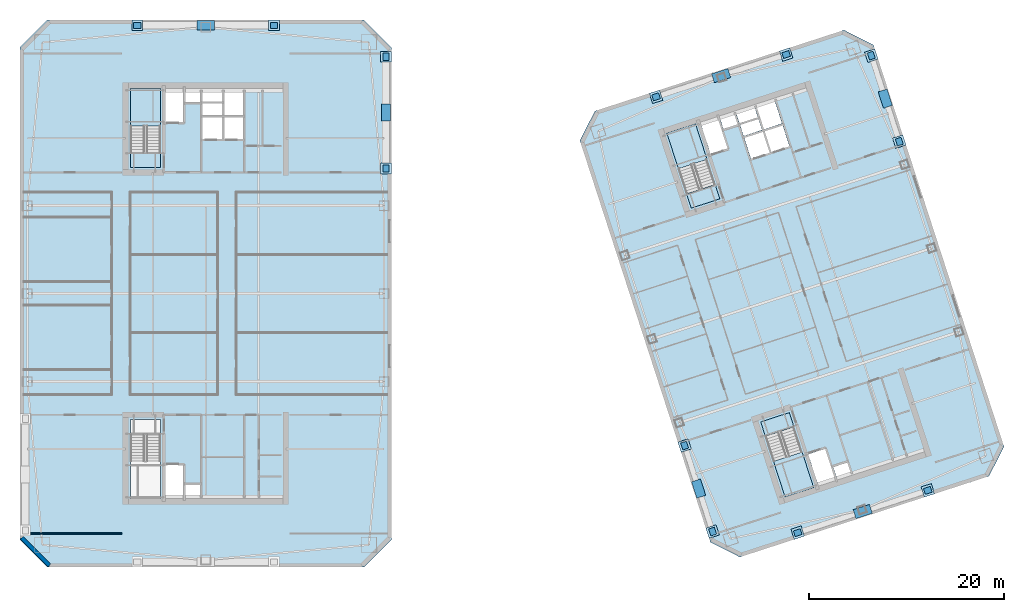
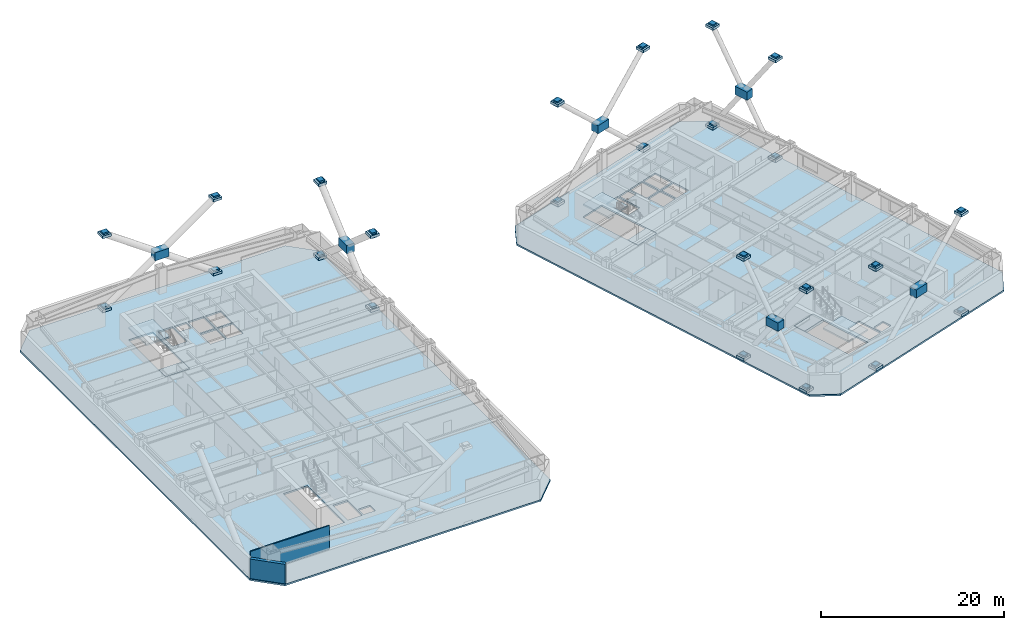
# One storey, part 5 of 14: 54 plates, 8 slabs, 2 walls, 3 elements without a shape of their own.
"""IFC4 building model written with IfcOpenShell, lengths in metres."""

from ifc_helpers import new_model, si_unit, direction, frame, frame_2d, origin, origin_2d, place, context, subcontext, project, spatial, polyline, rectangle, outline, extrude, material, layer, layer_set, type_object, element, aggregate, save


model = new_model("IFC4")

# Units and contexts
model_context = context("Model", 3, precision=1e-05, world=origin(), true_north=direction((0.0, 1.0)))
body_context = subcontext(model_context, "Body", "Model", "MODEL_VIEW")
ifc_project = project(units=[si_unit("LENGTHUNIT", "METRE"), si_unit("AREAUNIT", "SQUARE_METRE"), si_unit("VOLUMEUNIT", "CUBIC_METRE"), si_unit("PLANEANGLEUNIT", "RADIAN"), si_unit("MASSUNIT", "GRAM", prefix="KILO")], contexts=[model_context])

# Site, building, storey
site_placement = place(None, origin())
site = spatial("IfcSite", under=ifc_project, at=site_placement, CompositionType="ELEMENT")
building_placement = place(site_placement, origin())
building = spatial("IfcBuilding", under=site, at=building_placement, Name="Qiaolan Cultural Towers", CompositionType="ELEMENT")
storey_placement = place(building_placement, frame((0.0, 0.0, 149.5)))
storey = spatial("IfcBuildingStorey", under=building, at=storey_placement, Name="L39", CompositionType="ELEMENT", Elevation=149.5)

# Plates
ifc_material_1 = material(Name="Steel Q355B", Category="steel")
ifc_layer_1 = layer(ifc_material_1, 0.035888671875)
ifc_layer_set_1 = layer_set([ifc_layer_1], Name="Steel Q355B")
plate_type_1 = type_object("IfcPlateType", Name="PL-CONN-36", PredefinedType="USERDEFINED", material=ifc_layer_set_1)
for number, where, z_axis, x_axis, name in (
    (1, (48.449951171875, 46.800048828125, -0.22021484375), (0.0, 0.0, 1.0), (0.0, 1.0, 0.0), "L39 Brace End Connection Gusset Plate GP-02-0296"),
    (2, (48.449951171875, 58.25, 9.68017578125), (0.0, 0.0, 1.0), (0.0, 1.0, 0.0), "L39 Brace End Connection Gusset Plate GP-02-0297"),
    (3, (48.449951171875, 58.25, -0.22021484375), (0.0, 0.0, 1.0), (0.0, 1.0, 0.0), "L39 Brace End Connection Gusset Plate GP-02-0298"),
    (4, (48.449951171875, 46.800048828125, 9.68017578125), (0.0, 0.0, 1.0), (0.0, 1.0, 0.0), "L39 Brace End Connection Gusset Plate GP-02-0299"),
    (5, (23.0, 61.449951171875, -0.22021484375), (0.0, 0.0, 1.0), (1.0, 0.0, 0.0), "L39 Brace End Connection Gusset Plate GP-02-0304"),
    (6, (37.0, 61.449951171875, 9.68017578125), (0.0, 0.0, 1.0), (1.0, 0.0, 0.0), "L39 Brace End Connection Gusset Plate GP-02-0305"),
    (7, (37.0, 61.449951171875, -0.22021484375), (0.0, 0.0, 1.0), (1.0, 0.0, 0.0), "L39 Brace End Connection Gusset Plate GP-02-0306"),
    (8, (23.0, 61.449951171875, 9.68017578125), (0.0, 0.0, 1.0), (1.0, 0.0, 0.0), "L39 Brace End Connection Gusset Plate GP-02-0307"),
    (9, (81.877685546875, 9.648193359375, -0.22021484375), (0.0, 0.0, 1.0), (-0.309016961177, 0.951056527082, 0.0), "L39 Brace End Connection Gusset Plate GP-02-0524"),
    (10, (79.019287109375, 18.445556640625, 13.1298828125), (0.0, 0.0, 1.0), (-0.309016961177, 0.951056527082, 0.0), "L39 Brace End Connection Gusset Plate GP-02-0525"),
    (11, (79.019287109375, 18.445556640625, -0.22021484375), (0.0, 0.0, 1.0), (-0.309016961177, 0.951056527082, 0.0), "L39 Brace End Connection Gusset Plate GP-02-0526"),
    (12, (81.877685546875, 9.648193359375, 13.1298828125), (0.0, 0.0, 1.0), (-0.309016961177, 0.951056527082, 0.0), "L39 Brace End Connection Gusset Plate GP-02-0527"),
    (13, (100.980712890625, 49.554443359375, -0.22021484375), (0.0, 0.0, 1.0), (-0.309016961177, 0.951056527082, 0.0), "L39 Brace End Connection Gusset Plate GP-02-0528"),
    (14, (98.122314453125, 58.351806640625, 13.1298828125), (0.0, 0.0, 1.0), (-0.309016961177, 0.951056527082, 0.0), "L39 Brace End Connection Gusset Plate GP-02-0529"),
    (15, (98.122314453125, 58.351806640625, -0.22021484375), (0.0, 0.0, 1.0), (-0.309016961177, 0.951056527082, 0.0), "L39 Brace End Connection Gusset Plate GP-02-0530"),
    (16, (100.980712890625, 49.554443359375, 13.1298828125), (0.0, 0.0, 1.0), (-0.309016961177, 0.951056527082, 0.0), "L39 Brace End Connection Gusset Plate GP-02-0531"),
    (17, (90.589111328125, 9.53466796875, -0.22021484375), (0.0, 0.0, 1.0), (0.951056510902, 0.309017010974, 0.0), "L39 Brace End Connection Gusset Plate GP-02-0532"),
    (18, (103.90380859375, 13.86083984375, 13.1298828125), (0.0, 0.0, 1.0), (0.951056510902, 0.309017010974, 0.0), "L39 Brace End Connection Gusset Plate GP-02-0533"),
    (19, (103.90380859375, 13.86083984375, -0.22021484375), (0.0, 0.0, 1.0), (0.951056510902, 0.309017010974, 0.0), "L39 Brace End Connection Gusset Plate GP-02-0534"),
    (20, (90.589111328125, 9.53466796875, 13.1298828125), (0.0, 0.0, 1.0), (0.951056510902, 0.309017010974, 0.0), "L39 Brace End Connection Gusset Plate GP-02-0535"),
    (21, (76.09619140625, 54.13916015625, -0.22021484375), (0.0, 0.0, 1.0), (0.951056510902, 0.309017010974, 0.0), "L39 Brace End Connection Gusset Plate GP-02-0536"),
    (22, (89.410888671875, 58.46533203125, 13.1298828125), (0.0, 0.0, 1.0), (0.951056510902, 0.309017010974, 0.0), "L39 Brace End Connection Gusset Plate GP-02-0537"),
    (23, (89.410888671875, 58.46533203125, -0.22021484375), (0.0, 0.0, 1.0), (0.951056510902, 0.309017010974, 0.0), "L39 Brace End Connection Gusset Plate GP-02-0538"),
    (24, (76.09619140625, 54.13916015625, 13.1298828125), (0.0, 0.0, 1.0), (0.951056510902, 0.309017010974, 0.0), "L39 Brace End Connection Gusset Plate GP-02-0539"),
):
    element("IfcPlate", number, at=place(storey_placement, frame(where, z_axis=z_axis, x_axis=x_axis)), inside=storey, type_object=plate_type_1, Name=name, ObjectType="GUSSET_PLATE", PredefinedType="USERDEFINED", context=body_context, shape_type="SweptSolid", body=[
        extrude(rectangle(XDim=0.739990234375, YDim=0.6201171875, at=origin_2d()), origin(), (0.0, 0.0, 1.0), 0.739990234375),
    ])
ifc_material_2 = material(Name="Steel Q355B", Category="steel")
ifc_layer_2 = layer(ifc_material_2, 0.030029296875)
ifc_layer_set_2 = layer_set([ifc_layer_2], Name="Steel Q355B")
plate_type_2 = type_object("IfcPlateType", Name="PL-ENDCAP-30", PredefinedType="USERDEFINED", material=ifc_layer_set_2)
for number, where, z_axis, x_axis, name in (
    (25, (48.449951171875, 46.800048828125, -0.025146484375), (0.0, 0.0, 1.0), (0.0, 1.0, 0.0), "Hollow Brace End Seal Cap Plate CP-01"),
    (26, (48.449951171875, 58.25, -0.025146484375), (0.0, 0.0, 1.0), (0.0, 1.0, 0.0), "Hollow Brace End Seal Cap Plate CP-01"),
    (27, (48.449951171875, 46.800048828125, 9.875), (0.0, 0.0, 1.0), (0.0, 1.0, 0.0), "Hollow Brace End Seal Cap Plate CP-01"),
    (28, (48.449951171875, 58.25, 9.875), (0.0, 0.0, 1.0), (0.0, 1.0, 0.0), "Hollow Brace End Seal Cap Plate CP-01"),
    (29, (23.0, 61.449951171875, -0.025146484375), (0.0, 0.0, 1.0), (1.0, 0.0, 0.0), "Hollow Brace End Seal Cap Plate CP-01"),
    (30, (37.0, 61.449951171875, -0.025146484375), (0.0, 0.0, 1.0), (1.0, 0.0, 0.0), "Hollow Brace End Seal Cap Plate CP-01"),
    (31, (23.0, 61.449951171875, 9.875), (0.0, 0.0, 1.0), (1.0, 0.0, 0.0), "Hollow Brace End Seal Cap Plate CP-01"),
    (32, (37.0, 61.449951171875, 9.875), (0.0, 0.0, 1.0), (1.0, 0.0, 0.0), "Hollow Brace End Seal Cap Plate CP-01"),
    (33, (81.877685546875, 9.648193359375, -0.025146484375), (0.0, 0.0, 1.0), (-0.309016994375, 0.951056516295, 0.0), "Hollow Brace End Seal Cap Plate CP-01"),
    (34, (79.019287109375, 18.445556640625, -0.025146484375), (0.0, 0.0, 1.0), (-0.309016994375, 0.951056516295, 0.0), "Hollow Brace End Seal Cap Plate CP-01"),
    (35, (81.877685546875, 9.648193359375, 13.324951171875), (0.0, 0.0, 1.0), (-0.309016994375, 0.951056516295, 0.0), "Hollow Brace End Seal Cap Plate CP-01"),
    (36, (79.019287109375, 18.445556640625, 13.324951171875), (0.0, 0.0, 1.0), (-0.309016994375, 0.951056516295, 0.0), "Hollow Brace End Seal Cap Plate CP-01"),
    (37, (100.980712890625, 49.554443359375, -0.025146484375), (0.0, 0.0, 1.0), (-0.309016994375, 0.951056516295, 0.0), "Hollow Brace End Seal Cap Plate CP-01"),
    (38, (98.122314453125, 58.351806640625, -0.025146484375), (0.0, 0.0, 1.0), (-0.309016994375, 0.951056516295, 0.0), "Hollow Brace End Seal Cap Plate CP-01"),
    (39, (100.980712890625, 49.554443359375, 13.324951171875), (0.0, 0.0, 1.0), (-0.309016994375, 0.951056516295, 0.0), "Hollow Brace End Seal Cap Plate CP-01"),
    (40, (98.122314453125, 58.351806640625, 13.324951171875), (0.0, 0.0, 1.0), (-0.309016994375, 0.951056516295, 0.0), "Hollow Brace End Seal Cap Plate CP-01"),
    (41, (90.589111328125, 9.53466796875, -0.025146484375), (0.0, 0.0, 1.0), (0.951056516295, 0.309016994375, 0.0), "Hollow Brace End Seal Cap Plate CP-01"),
    (42, (103.90380859375, 13.86083984375, -0.025146484375), (0.0, 0.0, 1.0), (0.951056516295, 0.309016994375, 0.0), "Hollow Brace End Seal Cap Plate CP-01"),
    (43, (90.589111328125, 9.53466796875, 13.324951171875), (0.0, 0.0, 1.0), (0.951056516295, 0.309016994375, 0.0), "Hollow Brace End Seal Cap Plate CP-01"),
    (44, (103.90380859375, 13.86083984375, 13.324951171875), (0.0, 0.0, 1.0), (0.951056516295, 0.309016994375, 0.0), "Hollow Brace End Seal Cap Plate CP-01"),
    (45, (76.09619140625, 54.13916015625, -0.025146484375), (0.0, 0.0, 1.0), (0.951056516295, 0.309016994375, 0.0), "Hollow Brace End Seal Cap Plate CP-01"),
    (46, (89.410888671875, 58.46533203125, -0.025146484375), (0.0, 0.0, 1.0), (0.951056516295, 0.309016994375, 0.0), "Hollow Brace End Seal Cap Plate CP-01"),
    (47, (76.09619140625, 54.13916015625, 13.324951171875), (0.0, 0.0, 1.0), (0.951056516295, 0.309016994375, 0.0), "Hollow Brace End Seal Cap Plate CP-01"),
    (48, (89.410888671875, 58.46533203125, 13.324951171875), (0.0, 0.0, 1.0), (0.951056516295, 0.309016994375, 0.0), "Hollow Brace End Seal Cap Plate CP-01"),
):
    element("IfcPlate", number, at=place(storey_placement, frame(where, z_axis=z_axis, x_axis=x_axis)), inside=storey, type_object=plate_type_2, Name=name, ObjectType="BASE_PLATE", PredefinedType="USERDEFINED", context=body_context, shape_type="SweptSolid", body=[
        extrude(rectangle(XDim=1.10009765625, YDim=1.10009765625, at=origin_2d()), origin(), (0.0, 0.0, 1.0), 0.35009765625),
    ])
ifc_material_3 = material(Name="Steel Q390GJB", Category="steel")
ifc_layer_3 = layer(ifc_material_3, 0.0419921875)
ifc_layer_set_3 = layer_set([ifc_layer_3], Name="Steel Q390GJB")
plate_type_3 = type_object("IfcPlateType", Name="PL-NODE-ND01", PredefinedType="USERDEFINED", material=ifc_layer_set_3)
plate_1_placement = place(storey_placement, frame((30.0, 61.449951171875, 4.550048828125), z_axis=(0.0, 0.0, 1.0), x_axis=(1.0, 0.0, 0.0)))
element("IfcPlate", 49, at=plate_1_placement, inside=storey, type_object=plate_type_3, Name="Perimeter Frame Gusset Node Assembly ND-01", ObjectType="GUSSET_PLATE", PredefinedType="USERDEFINED", context=body_context, shape_type="SweptSolid", body=[
    extrude(rectangle(XDim=1.760009765625, YDim=0.9599609375, at=origin_2d()), origin(), (0.0, 0.0, 1.0), 1.10009765625),
])
ifc_material_4 = material(Name="Steel Q390GJB", Category="steel")
ifc_layer_4 = layer(ifc_material_4, 0.0439453125)
ifc_layer_set_4 = layer_set([ifc_layer_4], Name="Steel Q390GJB")
plate_type_4 = type_object("IfcPlateType", Name="PL-NODE-ND06", PredefinedType="USERDEFINED", material=ifc_layer_set_4)
plate_2_placement = place(storey_placement, frame((80.448486328125, 14.046875, 6.27490234375), z_axis=(0.0, 0.0, 1.0), x_axis=(-0.309016994375, 0.951056516295, 0.0)))
element("IfcPlate", 50, at=plate_2_placement, inside=storey, type_object=plate_type_4, Name="Perimeter Frame Gusset Node Assembly ND-06", ObjectType="GUSSET_PLATE", PredefinedType="USERDEFINED", context=body_context, shape_type="SweptSolid", body=[
    extrude(rectangle(XDim=1.760009765625, YDim=0.9599609375, at=origin_2d()), origin(), (0.0, 0.0, 1.0), 1.10009765625),
])
ifc_material_5 = material(Name="Steel Q390GJB", Category="steel")
ifc_layer_5 = layer(ifc_material_5, 0.0458984375)
ifc_layer_set_5 = layer_set([ifc_layer_5], Name="Steel Q390GJB")
plate_type_5 = type_object("IfcPlateType", Name="PL-NODE-ND07", PredefinedType="USERDEFINED", material=ifc_layer_set_5)
plate_3_placement = place(storey_placement, frame((99.551513671875, 53.953125, 6.27490234375), z_axis=(0.0, 0.0, 1.0), x_axis=(-0.309016994375, 0.951056516295, 0.0)))
element("IfcPlate", 51, at=plate_3_placement, inside=storey, type_object=plate_type_5, Name="Perimeter Frame Gusset Node Assembly ND-07", ObjectType="GUSSET_PLATE", PredefinedType="USERDEFINED", context=body_context, shape_type="SweptSolid", body=[
    extrude(rectangle(XDim=1.760009765625, YDim=0.9599609375, at=origin_2d()), origin(), (0.0, 0.0, 1.0), 1.10009765625),
])
ifc_material_6 = material(Name="Steel Q390GJB", Category="steel")
ifc_layer_6 = layer(ifc_material_6, 0.0400390625)
ifc_layer_set_6 = layer_set([ifc_layer_6], Name="Steel Q390GJB")
plate_type_6 = type_object("IfcPlateType", Name="PL-NODE-ND08", PredefinedType="USERDEFINED", material=ifc_layer_set_6)
plate_4_placement = place(storey_placement, frame((97.246337890625, 11.69775390625, 6.27490234375), z_axis=(0.0, 0.0, 1.0), x_axis=(0.951056516295, 0.309016994375, 0.0)))
element("IfcPlate", 52, at=plate_4_placement, inside=storey, type_object=plate_type_6, Name="Perimeter Frame Gusset Node Assembly ND-08", ObjectType="GUSSET_PLATE", PredefinedType="USERDEFINED", context=body_context, shape_type="SweptSolid", body=[
    extrude(rectangle(XDim=1.760009765625, YDim=0.9599609375, at=origin_2d()), origin(), (0.0, 0.0, 1.0), 1.10009765625),
])
ifc_material_7 = material(Name="Steel Q390GJB", Category="steel")
ifc_layer_7 = layer(ifc_material_7, 0.0419921875)
ifc_layer_set_7 = layer_set([ifc_layer_7], Name="Steel Q390GJB")
plate_type_7 = type_object("IfcPlateType", Name="PL-NODE-ND09", PredefinedType="USERDEFINED", material=ifc_layer_set_7)
plate_5_placement = place(storey_placement, frame((82.753662109375, 56.30224609375, 6.27490234375), z_axis=(0.0, 0.0, 1.0), x_axis=(0.951056516295, 0.309016994375, 0.0)))
element("IfcPlate", 53, at=plate_5_placement, inside=storey, type_object=plate_type_7, Name="Perimeter Frame Gusset Node Assembly ND-09", ObjectType="GUSSET_PLATE", PredefinedType="USERDEFINED", context=body_context, shape_type="SweptSolid", body=[
    extrude(rectangle(XDim=1.760009765625, YDim=0.9599609375, at=origin_2d()), origin(), (0.0, 0.0, 1.0), 1.10009765625),
])
ifc_material_8 = material(Name="Steel Q390GJB", Category="steel")
ifc_layer_8 = layer(ifc_material_8, 0.0458984375)
ifc_layer_set_8 = layer_set([ifc_layer_8], Name="Steel Q390GJB")
plate_type_8 = type_object("IfcPlateType", Name="PL-NODE-ND11", PredefinedType="USERDEFINED", material=ifc_layer_set_8)
plate_6_placement = place(storey_placement, frame((48.449951171875, 52.52490234375, 4.550048828125), z_axis=(0.0, 0.0, 1.0), x_axis=(0.0, 1.0, 0.0)))
element("IfcPlate", 54, at=plate_6_placement, inside=storey, type_object=plate_type_8, Name="Perimeter Frame Gusset Node Assembly ND-11", ObjectType="GUSSET_PLATE", PredefinedType="USERDEFINED", context=body_context, shape_type="SweptSolid", body=[
    extrude(rectangle(XDim=1.760009765625, YDim=0.9599609375, at=origin_2d()), origin(), (0.0, 0.0, 1.0), 1.10009765625),
])

# Stair, slab
ifc_material_9 = material(Name="Concrete C45", Category="concrete")
stair_type = type_object("IfcStairType", Name="STR-CORE-1500", PredefinedType="HALF_TURN_STAIR", material=ifc_material_9)
stair_1_placement = place(storey_placement, origin())
stair_1 = element("IfcStair", 55, at=stair_1_placement, inside=storey, type_object=stair_type, Name="L39 Smokeproof Exit Stair ST-W2", PredefinedType="HALF_TURN_STAIR")
ifc_material_10 = material(Name="Concrete C45", Category="concrete")
ifc_layer_9 = layer(ifc_material_10, 0.199951171875)
ifc_layer_set_9 = layer_set([ifc_layer_9], Name="Concrete C45")
slab_type_1 = type_object("IfcSlabType", Name="SL-STAIR-LAND", PredefinedType="LANDING", material=ifc_layer_set_9)
slab_1_placement = place(storey_placement, frame((0.0, 0.0, 1.52490234375)))
slab_1 = element("IfcSlab", 56, at=slab_1_placement, type_object=slab_type_1, Name="ST-W2 landing 1", PredefinedType="LANDING", context=body_context, shape_type="SweptSolid", body=[
    extrude(outline(polyline([(25.3798828125, 51.148681640625), (25.3798828125, 55.0), (22.300048828125, 55.0), (22.300048828125, 51.148681640625), (25.3798828125, 51.148681640625)])), origin(), (0.0, 0.0, 1.0), 0.2001953125),
])
aggregate(stair_1, [slab_1])

stair_2_placement = place(storey_placement, origin())
stair_2 = element("IfcStair", 57, at=stair_2_placement, inside=storey, type_object=stair_type, Name="L39 Smokeproof Exit Stair ST-E1", PredefinedType="HALF_TURN_STAIR")
slab_2_placement = place(storey_placement, frame((0.0, 0.0, 1.52490234375)))
slab_2 = element("IfcSlab", 58, at=slab_2_placement, type_object=slab_type_1, Name="ST-E1 landing 1", PredefinedType="LANDING", context=body_context, shape_type="SweptSolid", body=[
    extrude(outline(polyline([(88.114013671875, 16.828125), (89.30419921875, 13.165283203125), (92.2333984375, 14.116943359375), (91.04345703125, 17.77978515625), (88.114013671875, 16.828125)])), origin(), (0.0, 0.0, 1.0), 0.2001953125),
])
aggregate(stair_2, [slab_2])

stair_3_placement = place(storey_placement, origin())
stair_3 = element("IfcStair", 59, at=stair_3_placement, inside=storey, type_object=stair_type, Name="L39 Smokeproof Exit Stair ST-E2", PredefinedType="HALF_TURN_STAIR")
slab_3_placement = place(storey_placement, frame((0.0, 0.0, 1.52490234375)))
slab_3 = element("IfcSlab", 60, at=slab_3_placement, type_object=slab_type_1, Name="ST-E2 landing 1", PredefinedType="LANDING", context=body_context, shape_type="SweptSolid", body=[
    extrude(outline(polyline([(81.31005859375, 47.735595703125), (80.1201171875, 51.3984375), (77.190673828125, 50.44677734375), (78.380859375, 46.783935546875), (81.31005859375, 47.735595703125)])), origin(), (0.0, 0.0, 1.0), 0.2001953125),
])
aggregate(stair_3, [slab_3])

# Slabs
ifc_material_11 = material(Name="Concrete C40", Category="concrete")
ifc_layer_10 = layer(ifc_material_11, 0.360107421875)
ifc_layer_set_10 = layer_set([ifc_layer_10], Name="Concrete C40")
slab_type_2 = type_object("IfcSlabType", Name="SL-STFLR-360", PredefinedType="LANDING", material=ifc_layer_set_10)
slab_4_placement = place(storey_placement, frame((0.0, 0.0, -0.360107421875)))
element("IfcSlab", 61, at=slab_4_placement, inside=storey, type_object=slab_type_2, Name="L39 ST-W2 Stair Floor Landing Slab", PredefinedType="LANDING", context=body_context, shape_type="SweptSolid", body=[
    extrude(outline(polyline([(25.3779296875, 46.902099609375), (25.3779296875, 48.451416015625), (22.302001953125, 48.451416015625), (22.302001953125, 46.902099609375), (25.3779296875, 46.902099609375)])), origin(), (0.0, 0.0, 1.0), 0.360107421875),
])
slab_5_placement = place(storey_placement, frame((0.0, 0.0, -0.360107421875)))
element("IfcSlab", 62, at=slab_5_placement, inside=storey, type_object=slab_type_2, Name="L39 ST-E1 Stair Floor Landing Slab", PredefinedType="LANDING", context=body_context, shape_type="SweptSolid", body=[
    extrude(outline(polyline([(86.8037109375, 20.867431640625), (87.282470703125, 19.39404296875), (90.2080078125, 20.3447265625), (89.729248046875, 21.818115234375), (86.8037109375, 20.867431640625)])), origin(), (0.0, 0.0, 1.0), 0.360107421875),
])
slab_6_placement = place(storey_placement, frame((0.0, 0.0, -0.360107421875)))
element("IfcSlab", 63, at=slab_6_placement, inside=storey, type_object=slab_type_2, Name="L39 ST-E2 Stair Floor Landing Slab", PredefinedType="LANDING", context=body_context, shape_type="SweptSolid", body=[
    extrude(outline(polyline([(82.62060546875, 43.6962890625), (82.141845703125, 45.169677734375), (79.21630859375, 44.21923828125), (79.695068359375, 42.74560546875), (82.62060546875, 43.6962890625)])), origin(), (0.0, 0.0, 1.0), 0.360107421875),
])
ifc_material_12 = material(Name="Concrete C45", Category="concrete")
ifc_layer_11 = layer(ifc_material_12, 0.219970703125)
ifc_layer_set_11 = layer_set([ifc_layer_11], Name="Concrete C45")
slab_type_3 = type_object("IfcSlabType", Name="SL-TYP-220", PredefinedType="FLOOR", material=ifc_layer_set_11)
slab_7_placement = place(storey_placement, frame((0.0, 0.0, -0.219970703125)))
element("IfcSlab", 64, at=slab_7_placement, inside=storey, type_object=slab_type_3, Name="L39 West Tower Floor Slab", PredefinedType="FLOOR", context=body_context, shape_type="SweptSolid", body=[
    extrude(outline(polyline([(13.800048828125, 6.0), (46.199951171875, 6.0), (49.0, 8.800048828125), (49.0, 59.199951171875), (46.199951171875, 62.0), (13.800048828125, 62.0), (11.0, 59.199951171875), (11.0, 8.800048828125), (13.800048828125, 6.0)]), holes=[polyline([(22.300048828125, 21.10009765625), (22.300048828125, 13.0), (25.3798828125, 13.0), (25.3798828125, 21.10009765625), (22.300048828125, 21.10009765625)]), polyline([(25.3798828125, 46.89990234375), (25.3798828125, 55.0), (22.300048828125, 55.0), (22.300048828125, 46.89990234375), (25.3798828125, 46.89990234375)]), polyline([(25.89990234375, 13.199951171875), (27.75, 13.199951171875), (27.75, 16.449951171875), (25.89990234375, 16.449951171875), (25.89990234375, 13.199951171875)]), polyline([(27.93994140625, 13.25), (29.449951171875, 13.25), (29.449951171875, 14.419921875), (27.93994140625, 14.419921875), (27.93994140625, 13.25)]), polyline([(25.89990234375, 51.550048828125), (27.75, 51.550048828125), (27.75, 54.800048828125), (25.89990234375, 54.800048828125), (25.89990234375, 51.550048828125)]), polyline([(27.93994140625, 53.580078125), (29.449951171875, 53.580078125), (29.449951171875, 54.75), (27.93994140625, 54.75), (27.93994140625, 53.580078125)]), polyline([(29.679931640625, 49.820068359375), (31.679931640625, 49.820068359375), (31.679931640625, 52.080078125), (29.679931640625, 52.080078125), (29.679931640625, 49.820068359375)]), polyline([(31.8798828125, 49.820068359375), (33.820068359375, 49.820068359375), (33.820068359375, 52.080078125), (31.8798828125, 52.080078125), (31.8798828125, 49.820068359375)]), polyline([(29.679931640625, 52.27001953125), (31.659912109375, 52.27001953125), (31.659912109375, 54.75), (29.679931640625, 54.75), (29.679931640625, 52.27001953125)]), polyline([(31.8798828125, 52.27001953125), (33.820068359375, 52.27001953125), (33.820068359375, 54.75), (31.8798828125, 54.75), (31.8798828125, 52.27001953125)])]), origin(), (0.0, 0.0, 1.0), 0.219970703125),
])
slab_8_placement = place(storey_placement, frame((0.0, 0.0, -0.219970703125)))
element("IfcSlab", 65, at=slab_8_placement, inside=storey, type_object=slab_type_3, Name="L39 East Tower Floor Slab", PredefinedType="FLOOR", context=body_context, shape_type="SweptSolid", body=[
    extrude(outline(polyline([(84.67236328125, 7.033935546875), (110.16064453125, 15.3154296875), (111.701416015625, 18.339599609375), (98.351806640625, 59.42529296875), (95.32763671875, 60.966064453125), (69.83935546875, 52.6845703125), (68.298583984375, 49.660400390625), (81.648193359375, 8.57470703125), (84.67236328125, 7.033935546875)]), holes=[polyline([(86.80126953125, 20.868896484375), (89.30419921875, 13.165283203125), (92.2333984375, 14.116943359375), (89.73046875, 21.820556640625), (86.80126953125, 20.868896484375)]), polyline([(82.623046875, 43.69482421875), (80.1201171875, 51.3984375), (77.190673828125, 50.44677734375), (79.69384765625, 42.7431640625), (82.623046875, 43.69482421875)]), polyline([(92.666259765625, 14.468017578125), (94.42578125, 15.03955078125), (93.42138671875, 18.130615234375), (91.661865234375, 17.558837890625), (92.666259765625, 14.468017578125)]), polyline([(94.5908203125, 15.14599609375), (96.027099609375, 15.612548828125), (95.66552734375, 16.725341796875), (94.2294921875, 16.258544921875), (94.5908203125, 15.14599609375)]), polyline([(81.6806640625, 48.278076171875), (83.440185546875, 48.849609375), (82.435791015625, 51.940673828125), (80.67626953125, 51.368896484375), (81.6806640625, 48.278076171875)]), polyline([(82.993408203125, 50.839111328125), (84.4296875, 51.3056640625), (84.068115234375, 52.41845703125), (82.632080078125, 51.95166015625), (82.993408203125, 50.839111328125)]), polyline([(85.810302734375, 47.80078125), (87.71240234375, 48.418701171875), (87.013916015625, 50.568115234375), (85.11181640625, 49.9501953125), (85.810302734375, 47.80078125)]), polyline([(87.902587890625, 48.480712890625), (89.74755859375, 49.080078125), (89.04931640625, 51.2294921875), (87.2041015625, 50.6298828125), (87.902587890625, 48.480712890625)]), polyline([(85.05322265625, 50.130859375), (86.936279296875, 50.74267578125), (86.169921875, 53.101318359375), (84.286865234375, 52.489501953125), (85.05322265625, 50.130859375)]), polyline([(87.1455078125, 50.810791015625), (88.990478515625, 51.41015625), (88.22412109375, 53.768798828125), (86.379150390625, 53.169189453125), (87.1455078125, 50.810791015625)])]), origin(), (0.0, 0.0, 1.0), 0.219970703125),
])

# Walls
ifc_material_13 = material(Name="Precast Concrete C50 Honed Stone Pier", Category="masonry")
ifc_layer_12 = layer(ifc_material_13, 0.39990234375)
ifc_layer_set_12 = layer_set([ifc_layer_12], Name="Precast Concrete C50 Honed Stone Pier")
wall_type_1 = type_object("IfcWallType", Name="WL-EXT-PIER-400", PredefinedType="SOLIDWALL", material=ifc_layer_set_12)
wall_1_placement = place(storey_placement, frame((14.0, 6.199951171875, 0.0), z_axis=(0.0, 0.0, 1.0), x_axis=(-0.707106781187, 0.707106781187, 0.0)))
element("IfcWall", 66, at=wall_1_placement, inside=storey, type_object=wall_type_1, Name="L39 West Tower Precast Pier Facade Wall F8", PredefinedType="SOLIDWALL", context=body_context, shape_type="SweptSolid", body=[
    extrude(rectangle(XDim=3.9599609375, YDim=0.39990234375, at=frame_2d((1.97998046875, 0.0))), origin(), (0.0, 0.0, 1.0), 2.610107421875),
])
ifc_material_14 = material(Name="Autoclaved Aerated Concrete Block B06", Category="concrete")
ifc_layer_13 = layer(ifc_material_14, 0.14990234375)
ifc_layer_set_13 = layer_set([ifc_layer_13], Name="Autoclaved Aerated Concrete Block B06")
wall_type_2 = type_object("IfcWallType", Name="WL-PART-150", PredefinedType="PARTITIONING", material=ifc_layer_set_13)
wall_2_placement = place(storey_placement, frame((11.39990234375, 9.449951171875, 0.0), z_axis=(0.0, 0.0, 1.0), x_axis=(1.0, 0.0, 0.0)))
element("IfcWall", 67, at=wall_2_placement, inside=storey, type_object=wall_type_2, Name="L39 T1 Flank Wall FLK-SW", PredefinedType="PARTITIONING", context=body_context, shape_type="SweptSolid", body=[
    extrude(rectangle(XDim=10.0, YDim=0.14990234375, at=frame_2d((5.0, 0.0))), origin(), (0.0, 0.0, 1.0), 3.175048828125),
])

save(model, "model.ifc")
